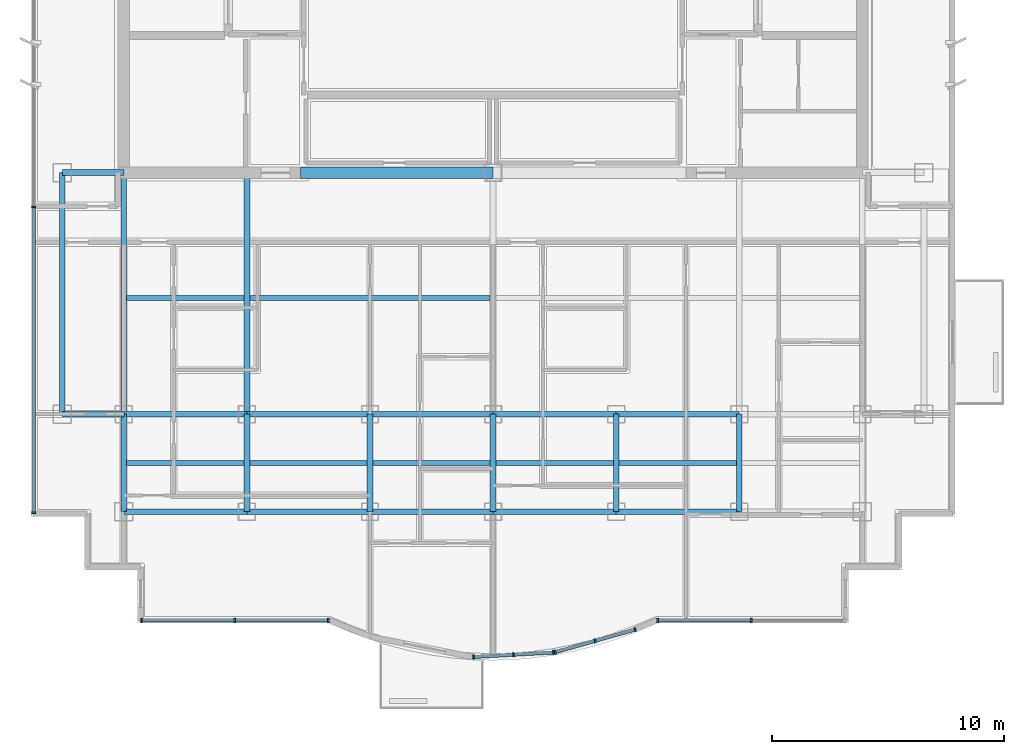
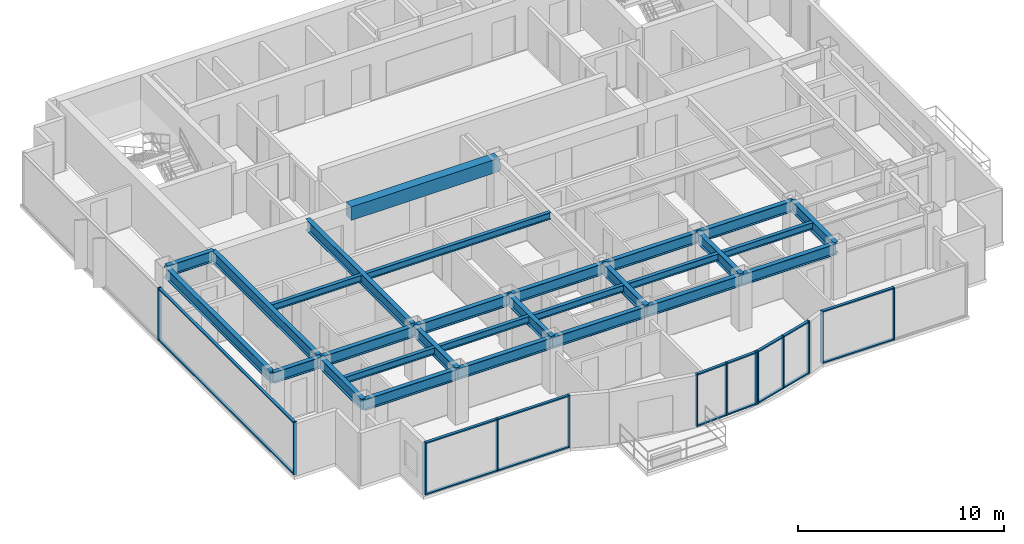
# One storey, part 2 of 11: 29 beams, 29 members, 5 elements without a shape of their own.
"""IFC4 building model written with IfcOpenShell, lengths in metres."""

from ifc_helpers import new_model, si_unit, direction, frame, origin, origin_2d, place, context, subcontext, project, spatial, rectangle, i_section, extrude, source, transform, mapped, material, layer, layer_set, material_profile, profile_set, type_object, element, aggregate, save


model = new_model("IFC4")

# Units and contexts
model_context = context("Model", 3, precision=1e-05, world=origin(), true_north=direction((0.0, 1.0)))
body_context = subcontext(model_context, "Body", "Model", "MODEL_VIEW")
ifc_project = project(units=[si_unit("LENGTHUNIT", "METRE"), si_unit("AREAUNIT", "SQUARE_METRE"), si_unit("VOLUMEUNIT", "CUBIC_METRE"), si_unit("PLANEANGLEUNIT", "RADIAN"), si_unit("MASSUNIT", "GRAM", prefix="KILO")], contexts=[model_context])

# Site, building, storey
site_placement = place(None, origin())
site = spatial("IfcSite", under=ifc_project, at=site_placement, CompositionType="ELEMENT")
building_placement = place(site_placement, origin())
building = spatial("IfcBuilding", under=site, at=building_placement, Name="Qianlan Lanfeng Residences", CompositionType="ELEMENT")
storey_placement = place(building_placement, frame((0.0, 0.0, 226.39990234375)))
storey = spatial("IfcBuildingStorey", under=building, at=storey_placement, Name="L62", CompositionType="ELEMENT", Elevation=226.39990234375)

# Beams
ifc_material_1 = material(Name="Steel SN490B", Category="steel")
ifc_material_profile_1 = material_profile(ifc_material_1, i_section(OverallWidth=0.25, OverallDepth=0.64990234375, WebThickness=0.012939453125, FlangeThickness=0.02197265625, at=origin_2d()), Name="H 650x250x13x22")
ifc_profile_set_1 = profile_set([ifc_material_profile_1], Name="Steel SN490B")
beam_type_1 = type_object("IfcBeamType", Name="G-650", PredefinedType="BEAM", material=ifc_profile_set_1)
beam_1_placement = place(storey_placement, frame((10.60009765625, 10.60009765625, 2.78515625), z_axis=(1.0, 0.0, 0.0), x_axis=(0.0, 1.0, 0.0)))
element("IfcBeam", 1, at=beam_1_placement, inside=storey, type_object=beam_type_1, Name="Structural beam G-650", PredefinedType="BEAM", context=body_context, shape_type="SweptSolid", body=[
    extrude(i_section(OverallWidth=0.25, OverallDepth=0.64990234375, WebThickness=0.012939453125, FlangeThickness=0.02197265625, at=origin_2d()), origin(), (0.0, 0.0, 1.0), 5.2998046875),
])
for number, where, z_axis, x_axis, name in (
    (2, (15.89990234375, 10.60009765625, 2.78515625), (1.0, 0.0, 0.0), (0.0, 1.0, 0.0), "Structural beam G-650"),
    (3, (21.199951171875, 10.60009765625, 2.78515625), (1.0, 0.0, 0.0), (0.0, 1.0, 0.0), "Structural beam G-650"),
    (4, (26.5, 10.60009765625, 2.78515625), (1.0, 0.0, 0.0), (0.0, 1.0, 0.0), "Structural beam G-650"),
    (5, (31.800048828125, 10.60009765625, 2.78515625), (1.0, 0.0, 0.0), (0.0, 1.0, 0.0), "Structural beam G-650"),
):
    element("IfcBeam", number, at=place(storey_placement, frame(where, z_axis=z_axis, x_axis=x_axis)), inside=storey, type_object=beam_type_1, Name=name, PredefinedType="BEAM", context=body_context, shape_type="SweptSolid", body=[
        extrude(i_section(OverallWidth=0.25, OverallDepth=0.64990234375, WebThickness=0.012939453125, FlangeThickness=0.02197265625, at=origin_2d()), origin(), (0.0, 0.0, 1.0), 5.300048828125),
    ])
beam_2_placement = place(storey_placement, frame((7.949951171875, 14.800048828125, 2.78515625), z_axis=(1.0, 0.0, 0.0), x_axis=(0.0, 1.0, 0.0)))
element("IfcBeam", 6, at=beam_2_placement, inside=storey, type_object=beam_type_1, Name="Structural beam G-650", PredefinedType="BEAM", context=body_context, shape_type="SweptSolid", body=[
    extrude(i_section(OverallWidth=0.25, OverallDepth=0.64990234375, WebThickness=0.012939453125, FlangeThickness=0.02197265625, at=origin_2d()), origin(), (0.0, 0.0, 1.0), 2.650146484375),
])
beam_3_placement = place(storey_placement, frame((10.60009765625, 14.800048828125, 2.78515625), z_axis=(1.0, 0.0, 0.0), x_axis=(0.0, 1.0, 0.0)))
element("IfcBeam", 7, at=beam_3_placement, inside=storey, type_object=beam_type_1, Name="Structural beam G-650", PredefinedType="BEAM", context=body_context, shape_type="SweptSolid", body=[
    extrude(i_section(OverallWidth=0.25, OverallDepth=0.64990234375, WebThickness=0.012939453125, FlangeThickness=0.02197265625, at=origin_2d()), origin(), (0.0, 0.0, 1.0), 5.2998046875),
])
for number, where, z_axis, x_axis, name in (
    (8, (15.89990234375, 14.800048828125, 2.78515625), (1.0, 0.0, 0.0), (0.0, 1.0, 0.0), "Structural beam G-650"),
    (9, (21.199951171875, 14.800048828125, 2.78515625), (1.0, 0.0, 0.0), (0.0, 1.0, 0.0), "Structural beam G-650"),
    (10, (26.5, 14.800048828125, 2.78515625), (1.0, 0.0, 0.0), (0.0, 1.0, 0.0), "Structural beam G-650"),
    (11, (31.800048828125, 14.800048828125, 2.78515625), (1.0, 0.0, 0.0), (0.0, 1.0, 0.0), "Structural beam G-650"),
):
    element("IfcBeam", number, at=place(storey_placement, frame(where, z_axis=z_axis, x_axis=x_axis)), inside=storey, type_object=beam_type_1, Name=name, PredefinedType="BEAM", context=body_context, shape_type="SweptSolid", body=[
        extrude(i_section(OverallWidth=0.25, OverallDepth=0.64990234375, WebThickness=0.012939453125, FlangeThickness=0.02197265625, at=origin_2d()), origin(), (0.0, 0.0, 1.0), 5.300048828125),
    ])
beam_4_placement = place(storey_placement, frame((7.949951171875, 25.199951171875, 2.78515625), z_axis=(1.0, 0.0, 0.0), x_axis=(0.0, 1.0, 0.0)))
element("IfcBeam", 12, at=beam_4_placement, inside=storey, type_object=beam_type_1, Name="Structural beam G-650", PredefinedType="BEAM", context=body_context, shape_type="SweptSolid", body=[
    extrude(i_section(OverallWidth=0.25, OverallDepth=0.64990234375, WebThickness=0.012939453125, FlangeThickness=0.02197265625, at=origin_2d()), origin(), (0.0, 0.0, 1.0), 2.650146484375),
])
beam_5_placement = place(storey_placement, frame((10.60009765625, 10.60009765625, 2.78515625), z_axis=(0.0, 1.0, 0.0), x_axis=(-1.0, 0.0, 0.0)))
element("IfcBeam", 13, at=beam_5_placement, inside=storey, type_object=beam_type_1, Name="Structural beam G-650", PredefinedType="BEAM", context=body_context, shape_type="SweptSolid", body=[
    extrude(i_section(OverallWidth=0.25, OverallDepth=0.64990234375, WebThickness=0.012939453125, FlangeThickness=0.02197265625, at=origin_2d()), origin(), (0.0, 0.0, 1.0), 4.199951171875),
])
beam_6_placement = place(storey_placement, frame((10.60009765625, 14.800048828125, 2.78515625), z_axis=(0.0, 1.0, 0.0), x_axis=(-1.0, 0.0, 0.0)))
element("IfcBeam", 14, at=beam_6_placement, inside=storey, type_object=beam_type_1, Name="Structural beam G-650", PredefinedType="BEAM", context=body_context, shape_type="SweptSolid", body=[
    extrude(i_section(OverallWidth=0.25, OverallDepth=0.64990234375, WebThickness=0.012939453125, FlangeThickness=0.02197265625, at=origin_2d()), origin(), (0.0, 0.0, 1.0), 10.39990234375),
])
beam_7_placement = place(storey_placement, frame((15.89990234375, 10.60009765625, 2.78515625), z_axis=(0.0, 1.0, 0.0), x_axis=(-1.0, 0.0, 0.0)))
element("IfcBeam", 15, at=beam_7_placement, inside=storey, type_object=beam_type_1, Name="Structural beam G-650", PredefinedType="BEAM", context=body_context, shape_type="SweptSolid", body=[
    extrude(i_section(OverallWidth=0.25, OverallDepth=0.64990234375, WebThickness=0.012939453125, FlangeThickness=0.02197265625, at=origin_2d()), origin(), (0.0, 0.0, 1.0), 4.199951171875),
])
beam_8_placement = place(storey_placement, frame((15.89990234375, 14.800048828125, 2.78515625), z_axis=(0.0, 1.0, 0.0), x_axis=(-1.0, 0.0, 0.0)))
element("IfcBeam", 16, at=beam_8_placement, inside=storey, type_object=beam_type_1, Name="Structural beam G-650", PredefinedType="BEAM", context=body_context, shape_type="SweptSolid", body=[
    extrude(i_section(OverallWidth=0.25, OverallDepth=0.64990234375, WebThickness=0.012939453125, FlangeThickness=0.02197265625, at=origin_2d()), origin(), (0.0, 0.0, 1.0), 10.39990234375),
])
for number, where, z_axis, x_axis, name in (
    (17, (21.199951171875, 10.60009765625, 2.78515625), (0.0, 1.0, 0.0), (-1.0, 0.0, 0.0), "Structural beam G-650"),
    (18, (26.5, 10.60009765625, 2.78515625), (0.0, 1.0, 0.0), (-1.0, 0.0, 0.0), "Structural beam G-650"),
    (19, (31.800048828125, 10.60009765625, 2.78515625), (0.0, 1.0, 0.0), (-1.0, 0.0, 0.0), "Structural beam G-650"),
    (20, (37.10009765625, 10.60009765625, 2.78515625), (0.0, 1.0, 0.0), (-1.0, 0.0, 0.0), "Structural beam G-650"),
):
    element("IfcBeam", number, at=place(storey_placement, frame(where, z_axis=z_axis, x_axis=x_axis)), inside=storey, type_object=beam_type_1, Name=name, PredefinedType="BEAM", context=body_context, shape_type="SweptSolid", body=[
        extrude(i_section(OverallWidth=0.25, OverallDepth=0.64990234375, WebThickness=0.012939453125, FlangeThickness=0.02197265625, at=origin_2d()), origin(), (0.0, 0.0, 1.0), 4.199951171875),
    ])
ifc_material_profile_2 = material_profile(ifc_material_1, i_section(OverallWidth=0.199951171875, OverallDepth=0.39990234375, WebThickness=0.008056640625, FlangeThickness=0.012939453125, at=origin_2d()), Name="H 400x200x8x13")
ifc_profile_set_2 = profile_set([ifc_material_profile_2], Name="Steel SN490B")
beam_type_2 = type_object("IfcBeamType", Name="J-400", PredefinedType="JOIST", material=ifc_profile_set_2)
beam_9_placement = place(storey_placement, frame((10.72509765625, 12.699951171875, 2.91015625), z_axis=(1.0, 0.0, 0.0), x_axis=(0.0, 1.0, 0.0)))
element("IfcBeam", 21, at=beam_9_placement, inside=storey, type_object=beam_type_2, Name="Structural beam J-400", PredefinedType="JOIST", context=body_context, shape_type="SweptSolid", body=[
    extrude(i_section(OverallWidth=0.199951171875, OverallDepth=0.39990234375, WebThickness=0.008056640625, FlangeThickness=0.012939453125, at=origin_2d()), origin(), (0.0, 0.0, 1.0), 5.0498046875),
])
for number, where, z_axis, x_axis, name in (
    (22, (16.02490234375, 12.699951171875, 2.91015625), (1.0, 0.0, 0.0), (0.0, 1.0, 0.0), "Structural beam J-400"),
    (23, (21.324951171875, 12.699951171875, 2.91015625), (1.0, 0.0, 0.0), (0.0, 1.0, 0.0), "Structural beam J-400"),
    (24, (26.625, 12.699951171875, 2.91015625), (1.0, 0.0, 0.0), (0.0, 1.0, 0.0), "Structural beam J-400"),
    (25, (31.925048828125, 12.699951171875, 2.91015625), (1.0, 0.0, 0.0), (0.0, 1.0, 0.0), "Structural beam J-400"),
):
    element("IfcBeam", number, at=place(storey_placement, frame(where, z_axis=z_axis, x_axis=x_axis)), inside=storey, type_object=beam_type_2, Name=name, PredefinedType="JOIST", context=body_context, shape_type="SweptSolid", body=[
        extrude(i_section(OverallWidth=0.199951171875, OverallDepth=0.39990234375, WebThickness=0.008056640625, FlangeThickness=0.012939453125, at=origin_2d()), origin(), (0.0, 0.0, 1.0), 5.050048828125),
    ])
beam_10_placement = place(storey_placement, frame((10.72509765625, 19.800048828125, 2.91015625), z_axis=(1.0, 0.0, 0.0), x_axis=(0.0, 1.0, 0.0)))
element("IfcBeam", 26, at=beam_10_placement, inside=storey, type_object=beam_type_2, Name="Structural beam J-400", PredefinedType="JOIST", context=body_context, shape_type="SweptSolid", body=[
    extrude(i_section(OverallWidth=0.199951171875, OverallDepth=0.39990234375, WebThickness=0.008056640625, FlangeThickness=0.012939453125, at=origin_2d()), origin(), (0.0, 0.0, 1.0), 5.0498046875),
])
beam_11_placement = place(storey_placement, frame((16.02490234375, 19.800048828125, 2.91015625), z_axis=(1.0, 0.0, 0.0), x_axis=(0.0, 1.0, 0.0)))
element("IfcBeam", 27, at=beam_11_placement, inside=storey, type_object=beam_type_2, Name="Structural beam J-400", PredefinedType="JOIST", context=body_context, shape_type="SweptSolid", body=[
    extrude(i_section(OverallWidth=0.199951171875, OverallDepth=0.39990234375, WebThickness=0.008056640625, FlangeThickness=0.012939453125, at=origin_2d()), origin(), (0.0, 0.0, 1.0), 10.35009765625),
])
ifc_material_2 = material(Name="Concrete C49", Category="concrete")
ifc_material_profile_3 = material_profile(ifc_material_2, rectangle(XDim=0.5, YDim=0.800048828125, at=origin_2d()), Name="RC 500x800")
ifc_profile_set_3 = profile_set([ifc_material_profile_3], Name="Concrete C49")
beam_type_3 = type_object("IfcBeamType", Name="LB-RC750", PredefinedType="BEAM", material=ifc_profile_set_3)
beam_12_placement = place(storey_placement, frame((18.199951171875, 25.199951171875, 2.710205078125), z_axis=(1.0, 0.0, 0.0), x_axis=(0.0, 1.0, 0.0)))
element("IfcBeam", 28, at=beam_12_placement, inside=storey, type_object=beam_type_3, Name="L62 Core Coupling Beam W", PredefinedType="BEAM", context=body_context, shape_type="SweptSolid", body=[
    extrude(rectangle(XDim=0.5, YDim=0.800048828125, at=origin_2d()), origin(), (0.0, 0.0, 1.0), 8.300048828125),
])
ifc_material_profile_4 = material_profile(ifc_material_1, i_section(OverallWidth=0.25, OverallDepth=0.64990234375, WebThickness=0.012939453125, FlangeThickness=0.02197265625, at=origin_2d()), Name="H 650x250x13x22")
ifc_profile_set_4 = profile_set([ifc_material_profile_4], Name="Steel SN490B")
beam_type_4 = type_object("IfcBeamType", Name="SG-650", PredefinedType="SPANDREL", material=ifc_profile_set_4)
beam_13_placement = place(storey_placement, frame((7.949951171875, 14.800048828125, 2.76513671875), z_axis=(0.0, 1.0, 0.0), x_axis=(-1.0, 0.0, 0.0)))
element("IfcBeam", 29, at=beam_13_placement, inside=storey, type_object=beam_type_4, Name="Structural beam SG-650", PredefinedType="SPANDREL", context=body_context, shape_type="SweptSolid", body=[
    extrude(i_section(OverallWidth=0.25, OverallDepth=0.64990234375, WebThickness=0.012939453125, FlangeThickness=0.02197265625, at=origin_2d()), origin(), (0.0, 0.0, 1.0), 10.39990234375),
])

# Curtain wall, members
ifc_material_3 = material(Name="Anodised Bronze Aluminium 6063-T6", Category="aluminium")
ifc_layer = layer(ifc_material_3, 0.219970703125)
ifc_layer_set = layer_set([ifc_layer], Name="Anodised Bronze Aluminium 6063-T6")
curtain_wall_type = type_object("IfcCurtainWallType", Name="CW-05", PredefinedType="NOTDEFINED", material=ifc_layer_set)
curtain_wall_1_placement = place(storey_placement, origin())
curtain_wall_1 = element("IfcCurtainWall", 30, at=curtain_wall_1_placement, inside=storey, type_object=curtain_wall_type, Name="L62 Unitised Curtain Wall CWR-L62-01 (CW-05)", PredefinedType="NOTDEFINED")
ifc_material_profile_5 = material_profile(ifc_material_3, rectangle(XDim=0.074951171875, YDim=0.14990234375, at=origin_2d()), Name="ALU TRANSOM 75x150")
ifc_profile_set_5 = profile_set([ifc_material_profile_5], Name="Anodised Bronze Aluminium 6063-T6")
member_type_1 = type_object("IfcMemberType", Name="CWT-150", PredefinedType="USERDEFINED", material=ifc_profile_set_5)
shared_shape_1 = source(origin(), body_context, "Body", "SweptSolid", [
    extrude(rectangle(XDim=0.074951171875, YDim=0.14990234375, at=origin_2d()), origin(), (0.0, 0.0, 1.0), 3.949462890625),
])
member_1_placement = place(storey_placement, frame((11.39501953125, 5.919921875, 0.03759765625), z_axis=(1.0, 0.0, 0.0), x_axis=(0.0, 0.0, 1.0)))
member_1 = element("IfcMember", 31, at=member_1_placement, type_object=member_type_1, Name="CWR-L62-01 Transom 1-BOT", ObjectType="TRANSOM", PredefinedType="USERDEFINED", context=body_context, shape_type="MappedRepresentation", body=[
    mapped(shared_shape_1, transform((0.0, 0.0, 0.0), scale=1.0)),
])
member_2_placement = place(storey_placement, frame((11.39501953125, 5.919921875, 3.072509765625), z_axis=(1.0, 0.0, 0.0), x_axis=(0.0, 0.0, 1.0)))
member_2 = element("IfcMember", 32, at=member_2_placement, type_object=member_type_1, Name="CWR-L62-01 Transom 1-TOP", ObjectType="TRANSOM", PredefinedType="USERDEFINED", context=body_context, shape_type="MappedRepresentation", body=[
    mapped(shared_shape_1, transform((0.0, 0.0, 0.0), scale=1.0)),
])
member_3_placement = place(storey_placement, frame((15.41943359375, 5.919921875, 0.03759765625), z_axis=(1.0, 0.0, 0.0), x_axis=(0.0, 0.0, 1.0)))
member_3 = element("IfcMember", 33, at=member_3_placement, type_object=member_type_1, Name="CWR-L62-01 Transom 2-BOT", ObjectType="TRANSOM", PredefinedType="USERDEFINED", context=body_context, shape_type="MappedRepresentation", body=[
    mapped(shared_shape_1, transform((0.0, 0.0, 0.0), scale=1.0)),
])
member_4_placement = place(storey_placement, frame((15.41943359375, 5.919921875, 3.072509765625), z_axis=(1.0, 0.0, 0.0), x_axis=(0.0, 0.0, 1.0)))
member_4 = element("IfcMember", 34, at=member_4_placement, type_object=member_type_1, Name="CWR-L62-01 Transom 2-TOP", ObjectType="TRANSOM", PredefinedType="USERDEFINED", context=body_context, shape_type="MappedRepresentation", body=[
    mapped(shared_shape_1, transform((0.0, 0.0, 0.0), scale=1.0)),
])

curtain_wall_2_placement = place(storey_placement, origin())
curtain_wall_2 = element("IfcCurtainWall", 35, at=curtain_wall_2_placement, inside=storey, type_object=curtain_wall_type, Name="L62 Unitised Curtain Wall CWR-L62-04 (CW-05)", PredefinedType="NOTDEFINED")
member_5_placement = place(storey_placement, frame((33.631103515625, 5.919921875, 0.03759765625), z_axis=(1.0, 0.0, 0.0), x_axis=(0.0, 0.0, 1.0)))
member_5 = element("IfcMember", 36, at=member_5_placement, type_object=member_type_1, Name="CWR-L62-04 Transom 1-BOT", ObjectType="TRANSOM", PredefinedType="USERDEFINED", context=body_context, shape_type="MappedRepresentation", body=[
    mapped(shared_shape_1, transform((0.0, 0.0, 0.0), scale=1.0)),
])
member_6_placement = place(storey_placement, frame((33.631103515625, 5.919921875, 3.072509765625), z_axis=(1.0, 0.0, 0.0), x_axis=(0.0, 0.0, 1.0)))
member_6 = element("IfcMember", 37, at=member_6_placement, type_object=member_type_1, Name="CWR-L62-04 Transom 1-TOP", ObjectType="TRANSOM", PredefinedType="USERDEFINED", context=body_context, shape_type="MappedRepresentation", body=[
    mapped(shared_shape_1, transform((0.0, 0.0, 0.0), scale=1.0)),
])

# Member
ifc_material_profile_6 = material_profile(ifc_material_3, rectangle(XDim=0.074951171875, YDim=0.179931640625, at=origin_2d()), Name="ALU MULLION 75x180")
ifc_profile_set_6 = profile_set([ifc_material_profile_6], Name="Anodised Bronze Aluminium 6063-T6")
member_type_2 = type_object("IfcMemberType", Name="CWM-180", PredefinedType="MULLION", material=ifc_profile_set_6)
shared_shape_2 = source(origin(), body_context, "Body", "SweptSolid", [
    extrude(rectangle(XDim=0.074951171875, YDim=0.179931640625, at=origin_2d()), origin(), (0.0, 0.0, 1.0), 3.110107421875),
])
member_7_placement = place(storey_placement, frame((11.357421875, 5.919921875, 0.0), z_axis=(0.0, 0.0, 1.0), x_axis=(1.0, 0.0, 0.0)))
member_7 = element("IfcMember", 38, at=member_7_placement, type_object=member_type_2, Name="CWR-L62-01 Mullion 1", PredefinedType="MULLION", context=body_context, shape_type="MappedRepresentation", body=[
    mapped(shared_shape_2, transform((0.0, 0.0, 0.0), scale=1.0)),
])

member_8_placement = place(storey_placement, frame((15.382080078125, 5.919921875, 0.0), z_axis=(0.0, 0.0, 1.0), x_axis=(1.0, 0.0, 0.0)))
member_8 = element("IfcMember", 39, at=member_8_placement, type_object=member_type_2, Name="CWR-L62-01 Mullion 2", PredefinedType="MULLION", context=body_context, shape_type="MappedRepresentation", body=[
    mapped(shared_shape_2, transform((0.0, 0.0, 0.0), scale=1.0)),
])

member_9_placement = place(storey_placement, frame((19.406494140625, 5.919921875, 0.0), z_axis=(0.0, 0.0, 1.0), x_axis=(1.0, 0.0, 0.0)))
member_9 = element("IfcMember", 40, at=member_9_placement, type_object=member_type_2, Name="CWR-L62-01 Mullion 3", PredefinedType="MULLION", context=body_context, shape_type="MappedRepresentation", body=[
    mapped(shared_shape_2, transform((0.0, 0.0, 0.0), scale=1.0)),
])

aggregate(curtain_wall_1, [member_7, member_8, member_9, member_1, member_2, member_3, member_4])

# Curtain wall, members
curtain_wall_3_placement = place(storey_placement, origin())
curtain_wall_3 = element("IfcCurtainWall", 41, at=curtain_wall_3_placement, inside=storey, type_object=curtain_wall_type, Name="L62 Unitised Curtain Wall CWR-L62-02 (CW-05)", PredefinedType="NOTDEFINED")
member_10_placement = place(storey_placement, frame((25.659423828125, 4.34716796875, 0.0), z_axis=(0.0, 0.0, 1.0), x_axis=(0.998415428603, 0.056272834713, 0.0)))
member_10 = element("IfcMember", 42, at=member_10_placement, type_object=member_type_2, Name="CWR-L62-02 Mullion 1", PredefinedType="MULLION", context=body_context, shape_type="MappedRepresentation", body=[
    mapped(shared_shape_2, transform((0.0, 0.0, 0.0), scale=1.0)),
])
member_11_placement = place(storey_placement, frame((27.37841796875, 4.444091796875, 0.0), z_axis=(0.0, 0.0, 1.0), x_axis=(0.998415428603, 0.056272834713, 0.0)))
member_11 = element("IfcMember", 43, at=member_11_placement, type_object=member_type_2, Name="CWR-L62-02 Mullion 2", PredefinedType="MULLION", context=body_context, shape_type="MappedRepresentation", body=[
    mapped(shared_shape_2, transform((0.0, 0.0, 0.0), scale=1.0)),
])
member_12_placement = place(storey_placement, frame((29.09765625, 4.541015625, 0.0), z_axis=(0.0, 0.0, 1.0), x_axis=(0.998415428603, 0.056272834713, 0.0)))
member_12 = element("IfcMember", 44, at=member_12_placement, type_object=member_type_2, Name="CWR-L62-02 Mullion 3", PredefinedType="MULLION", context=body_context, shape_type="MappedRepresentation", body=[
    mapped(shared_shape_2, transform((0.0, 0.0, 0.0), scale=1.0)),
])

curtain_wall_4_placement = place(storey_placement, origin())
curtain_wall_4 = element("IfcCurtainWall", 45, at=curtain_wall_4_placement, inside=storey, type_object=curtain_wall_type, Name="L62 Unitised Curtain Wall CWR-L62-03 (CW-05)", PredefinedType="NOTDEFINED")
member_13_placement = place(storey_placement, frame((29.171142578125, 4.55322265625, 0.0), z_axis=(0.0, 0.0, 1.0), x_axis=(0.962284495419, 0.272045124705, 0.0)))
member_13 = element("IfcMember", 46, at=member_13_placement, type_object=member_type_2, Name="CWR-L62-03 Mullion 1", PredefinedType="MULLION", context=body_context, shape_type="MappedRepresentation", body=[
    mapped(shared_shape_2, transform((0.0, 0.0, 0.0), scale=1.0)),
])
member_14_placement = place(storey_placement, frame((30.89306640625, 5.0400390625, 0.0), z_axis=(0.0, 0.0, 1.0), x_axis=(0.962284495419, 0.272045124705, 0.0)))
member_14 = element("IfcMember", 47, at=member_14_placement, type_object=member_type_2, Name="CWR-L62-03 Mullion 2", PredefinedType="MULLION", context=body_context, shape_type="MappedRepresentation", body=[
    mapped(shared_shape_2, transform((0.0, 0.0, 0.0), scale=1.0)),
])
member_15_placement = place(storey_placement, frame((32.614990234375, 5.52685546875, 0.0), z_axis=(0.0, 0.0, 1.0), x_axis=(0.962284495419, 0.272045124705, 0.0)))
member_15 = element("IfcMember", 48, at=member_15_placement, type_object=member_type_2, Name="CWR-L62-03 Mullion 3", PredefinedType="MULLION", context=body_context, shape_type="MappedRepresentation", body=[
    mapped(shared_shape_2, transform((0.0, 0.0, 0.0), scale=1.0)),
])

# Member
member_16_placement = place(storey_placement, frame((33.593505859375, 5.919921875, 0.0), z_axis=(0.0, 0.0, 1.0), x_axis=(1.0, 0.0, 0.0)))
member_16 = element("IfcMember", 49, at=member_16_placement, type_object=member_type_2, Name="CWR-L62-04 Mullion 1", PredefinedType="MULLION", context=body_context, shape_type="MappedRepresentation", body=[
    mapped(shared_shape_2, transform((0.0, 0.0, 0.0), scale=1.0)),
])

member_17_placement = place(storey_placement, frame((37.617919921875, 5.919921875, 0.0), z_axis=(0.0, 0.0, 1.0), x_axis=(1.0, 0.0, 0.0)))
member_17 = element("IfcMember", 50, at=member_17_placement, type_object=member_type_2, Name="CWR-L62-04 Mullion 2", PredefinedType="MULLION", context=body_context, shape_type="MappedRepresentation", body=[
    mapped(shared_shape_2, transform((0.0, 0.0, 0.0), scale=1.0)),
])

aggregate(curtain_wall_2, [member_16, member_17, member_5, member_6])

# Curtain wall, members
curtain_wall_5_placement = place(storey_placement, origin())
curtain_wall_5 = element("IfcCurtainWall", 51, at=curtain_wall_5_placement, inside=storey, type_object=curtain_wall_type, Name="L62 Unitised Curtain Wall CWR-L62-05 (CW-05)", PredefinedType="NOTDEFINED")
member_18_placement = place(storey_placement, frame((6.719970703125, 23.72509765625, 0.0), z_axis=(0.0, 0.0, 1.0), x_axis=(0.0, -1.0, 0.0)))
member_18 = element("IfcMember", 52, at=member_18_placement, type_object=member_type_2, Name="CWR-L62-05 Mullion 2", PredefinedType="MULLION", context=body_context, shape_type="MappedRepresentation", body=[
    mapped(shared_shape_2, transform((0.0, 0.0, 0.0), scale=1.0)),
])
member_19_placement = place(storey_placement, frame((6.719970703125, 10.5576171875, 0.0), z_axis=(0.0, 0.0, 1.0), x_axis=(0.0, -1.0, 0.0)))
member_19 = element("IfcMember", 53, at=member_19_placement, type_object=member_type_2, Name="CWR-L62-05 Mullion 3", PredefinedType="MULLION", context=body_context, shape_type="MappedRepresentation", body=[
    mapped(shared_shape_2, transform((0.0, 0.0, 0.0), scale=1.0)),
])
shared_shape_3 = source(origin(), body_context, "Body", "SweptSolid", [
    extrude(rectangle(XDim=0.074951171875, YDim=0.14990234375, at=origin_2d()), origin(), (0.0, 0.0, 1.0), 13.092529296875),
])
member_20_placement = place(storey_placement, frame((6.719970703125, 23.6875, 0.03759765625), z_axis=(0.0, -1.0, 0.0), x_axis=(0.0, 0.0, 1.0)))
member_20 = element("IfcMember", 54, at=member_20_placement, type_object=member_type_1, Name="CWR-L62-05 Transom 2-BOT", ObjectType="TRANSOM", PredefinedType="USERDEFINED", context=body_context, shape_type="MappedRepresentation", body=[
    mapped(shared_shape_3, transform((0.0, 0.0, 0.0), scale=1.0)),
])
member_21_placement = place(storey_placement, frame((6.719970703125, 23.6875, 3.072509765625), z_axis=(0.0, -1.0, 0.0), x_axis=(0.0, 0.0, 1.0)))
member_21 = element("IfcMember", 55, at=member_21_placement, type_object=member_type_1, Name="CWR-L62-05 Transom 2-TOP", ObjectType="TRANSOM", PredefinedType="USERDEFINED", context=body_context, shape_type="MappedRepresentation", body=[
    mapped(shared_shape_3, transform((0.0, 0.0, 0.0), scale=1.0)),
])
aggregate(curtain_wall_5, [member_18, member_19, member_20, member_21])

# Member
shared_shape_4 = source(origin(), body_context, "Body", "SweptSolid", [
    extrude(rectangle(XDim=0.074951171875, YDim=0.14990234375, at=origin_2d()), origin(), (0.0, 0.0, 1.0), 1.646728515625),
])
member_22_placement = place(storey_placement, frame((25.697021484375, 4.34912109375, 0.03759765625), z_axis=(0.998411616838, 0.056340423879, 0.0), x_axis=(0.0, 0.0, 1.0)))
member_22 = element("IfcMember", 56, at=member_22_placement, type_object=member_type_1, Name="CWR-L62-02 Transom 1-BOT", ObjectType="TRANSOM", PredefinedType="USERDEFINED", context=body_context, shape_type="MappedRepresentation", body=[
    mapped(shared_shape_4, transform((0.0, 0.0, 0.0), scale=1.0)),
])

member_23_placement = place(storey_placement, frame((25.697021484375, 4.34912109375, 3.072509765625), z_axis=(0.998411616838, 0.056340423879, 0.0), x_axis=(0.0, 0.0, 1.0)))
member_23 = element("IfcMember", 57, at=member_23_placement, type_object=member_type_1, Name="CWR-L62-02 Transom 1-TOP", ObjectType="TRANSOM", PredefinedType="USERDEFINED", context=body_context, shape_type="MappedRepresentation", body=[
    mapped(shared_shape_4, transform((0.0, 0.0, 0.0), scale=1.0)),
])

member_24_placement = place(storey_placement, frame((27.416015625, 4.446044921875, 0.03759765625), z_axis=(0.998411616838, 0.056340423879, 0.0), x_axis=(0.0, 0.0, 1.0)))
member_24 = element("IfcMember", 58, at=member_24_placement, type_object=member_type_1, Name="CWR-L62-02 Transom 2-BOT", ObjectType="TRANSOM", PredefinedType="USERDEFINED", context=body_context, shape_type="MappedRepresentation", body=[
    mapped(shared_shape_4, transform((0.0, 0.0, 0.0), scale=1.0)),
])

member_25_placement = place(storey_placement, frame((27.416015625, 4.446044921875, 3.072509765625), z_axis=(0.998411616838, 0.056340423879, 0.0), x_axis=(0.0, 0.0, 1.0)))
member_25 = element("IfcMember", 59, at=member_25_placement, type_object=member_type_1, Name="CWR-L62-02 Transom 2-TOP", ObjectType="TRANSOM", PredefinedType="USERDEFINED", context=body_context, shape_type="MappedRepresentation", body=[
    mapped(shared_shape_4, transform((0.0, 0.0, 0.0), scale=1.0)),
])

aggregate(curtain_wall_3, [member_10, member_11, member_12, member_22, member_23, member_24, member_25])

shared_shape_5 = source(origin(), body_context, "Body", "SweptSolid", [
    extrude(rectangle(XDim=0.074951171875, YDim=0.14990234375, at=origin_2d()), origin(), (0.0, 0.0, 1.0), 1.71435546875),
])
member_26_placement = place(storey_placement, frame((29.207275390625, 4.5634765625, 0.03759765625), z_axis=(0.9622940071, 0.272011477514, 0.0), x_axis=(0.0, 0.0, 1.0)))
member_26 = element("IfcMember", 60, at=member_26_placement, type_object=member_type_1, Name="CWR-L62-03 Transom 1-BOT", ObjectType="TRANSOM", PredefinedType="USERDEFINED", context=body_context, shape_type="MappedRepresentation", body=[
    mapped(shared_shape_5, transform((0.0, 0.0, 0.0), scale=1.0)),
])

member_27_placement = place(storey_placement, frame((29.207275390625, 4.5634765625, 3.072509765625), z_axis=(0.9622940071, 0.272011477514, 0.0), x_axis=(0.0, 0.0, 1.0)))
member_27 = element("IfcMember", 61, at=member_27_placement, type_object=member_type_1, Name="CWR-L62-03 Transom 1-TOP", ObjectType="TRANSOM", PredefinedType="USERDEFINED", context=body_context, shape_type="MappedRepresentation", body=[
    mapped(shared_shape_5, transform((0.0, 0.0, 0.0), scale=1.0)),
])

member_28_placement = place(storey_placement, frame((30.92919921875, 5.05029296875, 0.03759765625), z_axis=(0.9622940071, 0.272011477514, 0.0), x_axis=(0.0, 0.0, 1.0)))
member_28 = element("IfcMember", 62, at=member_28_placement, type_object=member_type_1, Name="CWR-L62-03 Transom 2-BOT", ObjectType="TRANSOM", PredefinedType="USERDEFINED", context=body_context, shape_type="MappedRepresentation", body=[
    mapped(shared_shape_5, transform((0.0, 0.0, 0.0), scale=1.0)),
])

member_29_placement = place(storey_placement, frame((30.92919921875, 5.05029296875, 3.072509765625), z_axis=(0.9622940071, 0.272011477514, 0.0), x_axis=(0.0, 0.0, 1.0)))
member_29 = element("IfcMember", 63, at=member_29_placement, type_object=member_type_1, Name="CWR-L62-03 Transom 2-TOP", ObjectType="TRANSOM", PredefinedType="USERDEFINED", context=body_context, shape_type="MappedRepresentation", body=[
    mapped(shared_shape_5, transform((0.0, 0.0, 0.0), scale=1.0)),
])

aggregate(curtain_wall_4, [member_13, member_14, member_15, member_26, member_27, member_28, member_29])

save(model, "model.ifc")
